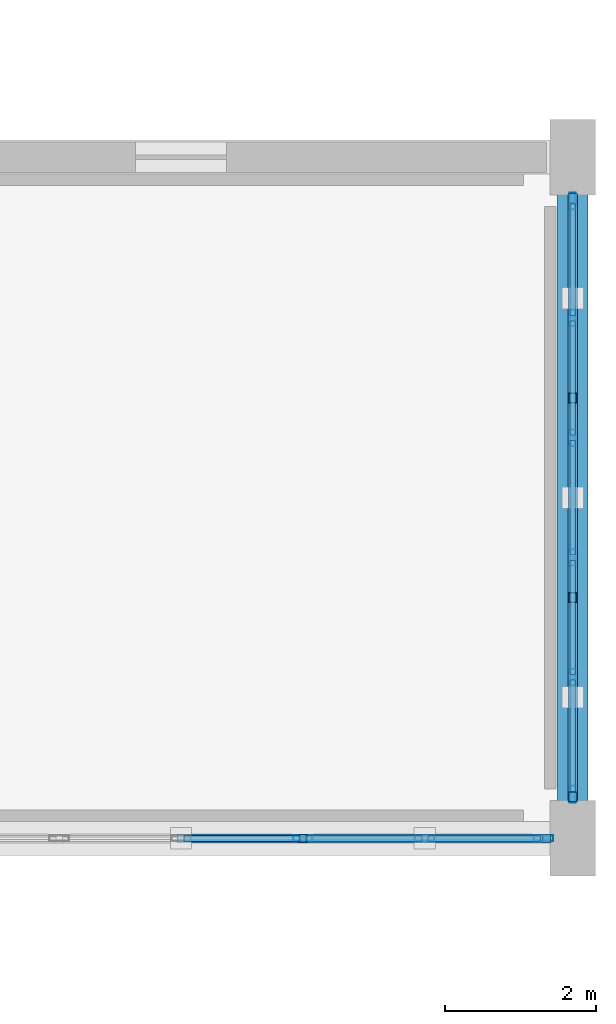
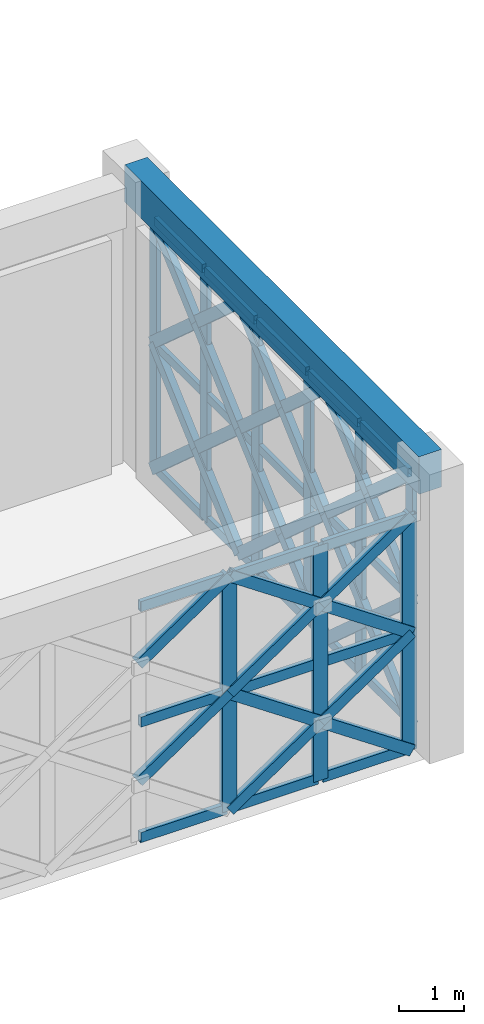
# One storey, part 110 of 166: 59 members, 1 beam, 2 elements without a shape of their own.
"""IFC4 building model written with IfcOpenShell, lengths in metres."""

from ifc_helpers import new_model, si_unit, direction, frame, origin, origin_2d, place, context, subcontext, project, spatial, rectangle, hollow_rectangle, extrude, material, material_profile, profile_set, type_object, element, aggregate, save


model = new_model("IFC4")

# Units and contexts
model_context = context("Model", 3, precision=1e-05, world=origin(), true_north=direction((0.0, 1.0)))
body_context = subcontext(model_context, "Body", "Model", "MODEL_VIEW")
ifc_project = project(units=[si_unit("LENGTHUNIT", "METRE"), si_unit("AREAUNIT", "SQUARE_METRE"), si_unit("VOLUMEUNIT", "CUBIC_METRE"), si_unit("PLANEANGLEUNIT", "RADIAN"), si_unit("MASSUNIT", "GRAM", prefix="KILO")], contexts=[model_context])

# Site, building, storey
site_placement = place(None, origin())
site = spatial("IfcSite", under=ifc_project, at=site_placement, CompositionType="ELEMENT")
building_placement = place(site_placement, origin())
building = spatial("IfcBuilding", under=site, at=building_placement, Name="Haizhuo Lancet Aquarium", CompositionType="ELEMENT")
storey_placement = place(building_placement, frame((0.0, 0.0, 5.39990234375)))
storey = spatial("IfcBuildingStorey", under=building, at=storey_placement, Name="L01", CompositionType="ELEMENT", Elevation=5.39990234375)

# Beam
ifc_material_1 = material(Name="Concrete C40/50", Category="concrete")
ifc_material_profile_1 = material_profile(ifc_material_1, rectangle(XDim=0.39990234375, YDim=0.699951171875, at=origin_2d()), Name="RC-BM 400x700")
ifc_profile_set_1 = profile_set([ifc_material_profile_1], Name="Concrete C40/50")
beam_type = type_object("IfcBeamType", Name="BM-RC-400x700", PredefinedType="BEAM", material=ifc_profile_set_1)
beam_placement = place(storey_placement, frame((82.5, -18.0, 5.050048828125), z_axis=(0.0, 1.0, 0.0), x_axis=(-1.0, 0.0, 0.0)))
element("IfcBeam", 1, at=beam_placement, inside=storey, type_object=beam_type, Name="L01 V3 primary girder BM-L01-V3-031", PredefinedType="BEAM", context=body_context, shape_type="SweptSolid", body=[
    extrude(rectangle(XDim=0.39990234375, YDim=0.699951171875, at=origin_2d()), origin(), (0.0, 0.0, 1.0), 9.0),
])

# Curtain wall, members
ifc_material_2 = material(Name="Aluminium 6063-T6", Category="aluminium")
curtain_wall_type_1 = type_object("IfcCurtainWallType", Name="CWO-7910x4700", PredefinedType="NOTDEFINED", material=ifc_material_2)
curtain_wall_1_placement = place(storey_placement, origin())
curtain_wall_1 = element("IfcCurtainWall", 2, at=curtain_wall_1_placement, inside=storey, type_object=curtain_wall_type_1, Name="L01 curtain wall CW-V3-L01-041", PredefinedType="NOTDEFINED")
ifc_material_profile_2 = material_profile(ifc_material_2, hollow_rectangle(XDim=0.074951171875, YDim=0.219970703125, WallThickness=0.0048828125, at=origin_2d()), Name="ALU-M 75x220x5")
ifc_profile_set_2 = profile_set([ifc_material_profile_2], Name="Aluminium 6063-T6")
member_type_1 = type_object("IfcMemberType", Name="CW-MUL-2", PredefinedType="MULLION", material=ifc_profile_set_2)
member_1_placement = place(storey_placement, frame((82.5, -9.58203125, 0.0), z_axis=(0.0, 0.0, 1.0), x_axis=(1.0, 0.0, 0.0)))
member_1 = element("IfcMember", 3, at=member_1_placement, type_object=member_type_1, Name="CWO-79x47 mullion 1", PredefinedType="MULLION", context=body_context, shape_type="SweptSolid", body=[
    extrude(hollow_rectangle(XDim=0.074951171875, YDim=0.219970703125, WallThickness=0.0048828125, at=origin_2d()), origin(), (0.0, 0.0, 1.0), 4.7001953125),
])
member_2_placement = place(storey_placement, frame((82.5, -11.126953125, 0.0), z_axis=(0.0, 0.0, 1.0), x_axis=(1.0, 0.0, 0.0)))
member_2 = element("IfcMember", 4, at=member_2_placement, type_object=member_type_1, Name="CWO-79x47 mullion 2", PredefinedType="MULLION", context=body_context, shape_type="SweptSolid", body=[
    extrude(hollow_rectangle(XDim=0.074951171875, YDim=0.219970703125, WallThickness=0.0048828125, at=origin_2d()), origin(), (0.0, 0.0, 1.0), 4.7001953125),
])
member_3_placement = place(storey_placement, frame((82.5, -12.708984375, 0.0), z_axis=(0.0, 0.0, 1.0), x_axis=(1.0, 0.0, 0.0)))
member_3 = element("IfcMember", 5, at=member_3_placement, type_object=member_type_1, Name="CWO-79x47 mullion 3", PredefinedType="MULLION", context=body_context, shape_type="SweptSolid", body=[
    extrude(hollow_rectangle(XDim=0.074951171875, YDim=0.219970703125, WallThickness=0.0048828125, at=origin_2d()), origin(), (0.0, 0.0, 1.0), 4.7001953125),
])
member_4_placement = place(storey_placement, frame((82.5, -14.291015625, 0.0), z_axis=(0.0, 0.0, 1.0), x_axis=(1.0, 0.0, 0.0)))
member_4 = element("IfcMember", 6, at=member_4_placement, type_object=member_type_1, Name="CWO-79x47 mullion 4", PredefinedType="MULLION", context=body_context, shape_type="SweptSolid", body=[
    extrude(hollow_rectangle(XDim=0.074951171875, YDim=0.219970703125, WallThickness=0.0048828125, at=origin_2d()), origin(), (0.0, 0.0, 1.0), 4.7001953125),
])
member_5_placement = place(storey_placement, frame((82.5, -15.873046875, 0.0), z_axis=(0.0, 0.0, 1.0), x_axis=(1.0, 0.0, 0.0)))
member_5 = element("IfcMember", 7, at=member_5_placement, type_object=member_type_1, Name="CWO-79x47 mullion 5", PredefinedType="MULLION", context=body_context, shape_type="SweptSolid", body=[
    extrude(hollow_rectangle(XDim=0.074951171875, YDim=0.219970703125, WallThickness=0.0048828125, at=origin_2d()), origin(), (0.0, 0.0, 1.0), 4.7001953125),
])
member_6_placement = place(storey_placement, frame((82.5, -17.4169921875, 0.0), z_axis=(0.0, 0.0, 1.0), x_axis=(1.0, 0.0, 0.0)))
member_6 = element("IfcMember", 8, at=member_6_placement, type_object=member_type_1, Name="CWO-79x47 mullion 6", PredefinedType="MULLION", context=body_context, shape_type="SweptSolid", body=[
    extrude(hollow_rectangle(XDim=0.074951171875, YDim=0.219970703125, WallThickness=0.0048828125, at=origin_2d()), origin(), (0.0, 0.0, 1.0), 4.7001953125),
])

curtain_wall_type_2 = type_object("IfcCurtainWallType", Name="CWO-9660x4390", PredefinedType="NOTDEFINED", material=ifc_material_2)
curtain_wall_2_placement = place(storey_placement, origin())
curtain_wall_2 = element("IfcCurtainWall", 9, at=curtain_wall_2_placement, inside=storey, type_object=curtain_wall_type_2, Name="L01 curtain wall CW-V3-L01-042", PredefinedType="NOTDEFINED")
ifc_material_profile_3 = material_profile(ifc_material_2, hollow_rectangle(XDim=0.080078125, YDim=0.260009765625, WallThickness=0.0048828125, at=origin_2d()), Name="ALU-M 80x260x5")
ifc_profile_set_3 = profile_set([ifc_material_profile_3], Name="Aluminium 6063-T6")
member_type_2 = type_object("IfcMemberType", Name="CW-MUL-3", PredefinedType="MULLION", material=ifc_profile_set_3)
member_7_placement = place(storey_placement, frame((82.114990234375, -18.0, 0.0), z_axis=(0.0, 0.0, 1.0), x_axis=(0.0, -1.0, 0.0)))
member_7 = element("IfcMember", 10, at=member_7_placement, type_object=member_type_2, Name="CWO-96x43 mullion 1", PredefinedType="MULLION", context=body_context, shape_type="SweptSolid", body=[
    extrude(hollow_rectangle(XDim=0.080078125, YDim=0.260009765625, WallThickness=0.0048828125, at=origin_2d()), origin(), (0.0, 0.0, 1.0), 4.39013671875),
])
member_8_placement = place(storey_placement, frame((80.544921875, -18.0, 0.0), z_axis=(0.0, 0.0, 1.0), x_axis=(0.0, -1.0, 0.0)))
member_8 = element("IfcMember", 11, at=member_8_placement, type_object=member_type_2, Name="CWO-96x43 mullion 2", PredefinedType="MULLION", context=body_context, shape_type="SweptSolid", body=[
    extrude(hollow_rectangle(XDim=0.080078125, YDim=0.260009765625, WallThickness=0.0048828125, at=origin_2d()), origin(), (0.0, 0.0, 1.0), 4.39013671875),
])
member_9_placement = place(storey_placement, frame((78.93505859375, -18.0, 0.0), z_axis=(0.0, 0.0, 1.0), x_axis=(0.0, -1.0, 0.0)))
member_9 = element("IfcMember", 12, at=member_9_placement, type_object=member_type_2, Name="CWO-96x43 mullion 3", PredefinedType="MULLION", context=body_context, shape_type="SweptSolid", body=[
    extrude(hollow_rectangle(XDim=0.080078125, YDim=0.260009765625, WallThickness=0.0048828125, at=origin_2d()), origin(), (0.0, 0.0, 1.0), 4.39013671875),
])

# Member
ifc_material_profile_4 = material_profile(ifc_material_2, hollow_rectangle(XDim=0.074951171875, YDim=0.159912109375, WallThickness=0.00390625, at=origin_2d()), Name="ALU-T 75x160x4")
ifc_profile_set_4 = profile_set([ifc_material_profile_4], Name="Aluminium 6063-T6")
member_type_3 = type_object("IfcMemberType", Name="CW-TRN-2", PredefinedType="NOTDEFINED", material=ifc_profile_set_4)
member_10_placement = place(storey_placement, frame((82.5, -9.6201171875, 0.0380859375), z_axis=(0.0, -1.0, 0.0), x_axis=(1.0, 0.0, 0.0)))
member_10 = element("IfcMember", 13, at=member_10_placement, type_object=member_type_3, Name="CWO-79x47 transom 1.1", ObjectType="TRANSOM", PredefinedType="USERDEFINED", context=body_context, shape_type="SweptSolid", body=[
    extrude(hollow_rectangle(XDim=0.074951171875, YDim=0.159912109375, WallThickness=0.00390625, at=origin_2d()), origin(), (0.0, 0.0, 1.0), 1.468994140625),
])

member_11_placement = place(storey_placement, frame((82.5, -9.6201171875, 2.35009765625), z_axis=(0.0, -1.0, 0.0), x_axis=(1.0, 0.0, 0.0)))
member_11 = element("IfcMember", 14, at=member_11_placement, type_object=member_type_3, Name="CWO-79x47 transom 1.2", ObjectType="TRANSOM", PredefinedType="USERDEFINED", context=body_context, shape_type="SweptSolid", body=[
    extrude(hollow_rectangle(XDim=0.074951171875, YDim=0.159912109375, WallThickness=0.00390625, at=origin_2d()), origin(), (0.0, 0.0, 1.0), 1.468994140625),
])

member_12_placement = place(storey_placement, frame((82.5, -9.6201171875, 4.662109375), z_axis=(0.0, -1.0, 0.0), x_axis=(1.0, 0.0, 0.0)))
member_12 = element("IfcMember", 15, at=member_12_placement, type_object=member_type_3, Name="CWO-79x47 transom 1.3", ObjectType="TRANSOM", PredefinedType="USERDEFINED", context=body_context, shape_type="SweptSolid", body=[
    extrude(hollow_rectangle(XDim=0.074951171875, YDim=0.159912109375, WallThickness=0.00390625, at=origin_2d()), origin(), (0.0, 0.0, 1.0), 1.468994140625),
])

member_13_placement = place(storey_placement, frame((82.5, -11.1650390625, 0.0380859375), z_axis=(0.0, -1.0, 0.0), x_axis=(1.0, 0.0, 0.0)))
member_13 = element("IfcMember", 16, at=member_13_placement, type_object=member_type_3, Name="CWO-79x47 transom 2.1", ObjectType="TRANSOM", PredefinedType="USERDEFINED", context=body_context, shape_type="SweptSolid", body=[
    extrude(hollow_rectangle(XDim=0.074951171875, YDim=0.159912109375, WallThickness=0.00390625, at=origin_2d()), origin(), (0.0, 0.0, 1.0), 1.505859375),
])

member_14_placement = place(storey_placement, frame((82.5, -11.1650390625, 2.35009765625), z_axis=(0.0, -1.0, 0.0), x_axis=(1.0, 0.0, 0.0)))
member_14 = element("IfcMember", 17, at=member_14_placement, type_object=member_type_3, Name="CWO-79x47 transom 2.2", ObjectType="TRANSOM", PredefinedType="USERDEFINED", context=body_context, shape_type="SweptSolid", body=[
    extrude(hollow_rectangle(XDim=0.074951171875, YDim=0.159912109375, WallThickness=0.00390625, at=origin_2d()), origin(), (0.0, 0.0, 1.0), 1.505859375),
])

member_15_placement = place(storey_placement, frame((82.5, -11.1650390625, 4.662109375), z_axis=(0.0, -1.0, 0.0), x_axis=(1.0, 0.0, 0.0)))
member_15 = element("IfcMember", 18, at=member_15_placement, type_object=member_type_3, Name="CWO-79x47 transom 2.3", ObjectType="TRANSOM", PredefinedType="USERDEFINED", context=body_context, shape_type="SweptSolid", body=[
    extrude(hollow_rectangle(XDim=0.074951171875, YDim=0.159912109375, WallThickness=0.00390625, at=origin_2d()), origin(), (0.0, 0.0, 1.0), 1.505859375),
])

member_16_placement = place(storey_placement, frame((82.5, -12.74609375, 0.0380859375), z_axis=(0.0, -1.0, 0.0), x_axis=(1.0, 0.0, 0.0)))
member_16 = element("IfcMember", 19, at=member_16_placement, type_object=member_type_3, Name="CWO-79x47 transom 3.1", ObjectType="TRANSOM", PredefinedType="USERDEFINED", context=body_context, shape_type="SweptSolid", body=[
    extrude(hollow_rectangle(XDim=0.074951171875, YDim=0.159912109375, WallThickness=0.00390625, at=origin_2d()), origin(), (0.0, 0.0, 1.0), 1.5068359375),
])

member_17_placement = place(storey_placement, frame((82.5, -12.74609375, 2.35009765625), z_axis=(0.0, -1.0, 0.0), x_axis=(1.0, 0.0, 0.0)))
member_17 = element("IfcMember", 20, at=member_17_placement, type_object=member_type_3, Name="CWO-79x47 transom 3.2", ObjectType="TRANSOM", PredefinedType="USERDEFINED", context=body_context, shape_type="SweptSolid", body=[
    extrude(hollow_rectangle(XDim=0.074951171875, YDim=0.159912109375, WallThickness=0.00390625, at=origin_2d()), origin(), (0.0, 0.0, 1.0), 1.5068359375),
])

member_18_placement = place(storey_placement, frame((82.5, -12.74609375, 4.662109375), z_axis=(0.0, -1.0, 0.0), x_axis=(1.0, 0.0, 0.0)))
member_18 = element("IfcMember", 21, at=member_18_placement, type_object=member_type_3, Name="CWO-79x47 transom 3.3", ObjectType="TRANSOM", PredefinedType="USERDEFINED", context=body_context, shape_type="SweptSolid", body=[
    extrude(hollow_rectangle(XDim=0.074951171875, YDim=0.159912109375, WallThickness=0.00390625, at=origin_2d()), origin(), (0.0, 0.0, 1.0), 1.5068359375),
])

member_19_placement = place(storey_placement, frame((82.5, -14.327880859375, 0.0380859375), z_axis=(0.0, -1.0, 0.0), x_axis=(1.0, 0.0, 0.0)))
member_19 = element("IfcMember", 22, at=member_19_placement, type_object=member_type_3, Name="CWO-79x47 transom 4.1", ObjectType="TRANSOM", PredefinedType="USERDEFINED", context=body_context, shape_type="SweptSolid", body=[
    extrude(hollow_rectangle(XDim=0.074951171875, YDim=0.159912109375, WallThickness=0.00390625, at=origin_2d()), origin(), (0.0, 0.0, 1.0), 1.507080078125),
])

member_20_placement = place(storey_placement, frame((82.5, -14.327880859375, 2.35009765625), z_axis=(0.0, -1.0, 0.0), x_axis=(1.0, 0.0, 0.0)))
member_20 = element("IfcMember", 23, at=member_20_placement, type_object=member_type_3, Name="CWO-79x47 transom 4.2", ObjectType="TRANSOM", PredefinedType="USERDEFINED", context=body_context, shape_type="SweptSolid", body=[
    extrude(hollow_rectangle(XDim=0.074951171875, YDim=0.159912109375, WallThickness=0.00390625, at=origin_2d()), origin(), (0.0, 0.0, 1.0), 1.507080078125),
])

member_21_placement = place(storey_placement, frame((82.5, -14.327880859375, 4.662109375), z_axis=(0.0, -1.0, 0.0), x_axis=(1.0, 0.0, 0.0)))
member_21 = element("IfcMember", 24, at=member_21_placement, type_object=member_type_3, Name="CWO-79x47 transom 4.3", ObjectType="TRANSOM", PredefinedType="USERDEFINED", context=body_context, shape_type="SweptSolid", body=[
    extrude(hollow_rectangle(XDim=0.074951171875, YDim=0.159912109375, WallThickness=0.00390625, at=origin_2d()), origin(), (0.0, 0.0, 1.0), 1.507080078125),
])

member_22_placement = place(storey_placement, frame((82.5, -15.909912109375, 0.0380859375), z_axis=(0.0, -1.0, 0.0), x_axis=(1.0, 0.0, 0.0)))
member_22 = element("IfcMember", 25, at=member_22_placement, type_object=member_type_3, Name="CWO-79x47 transom 5.1", ObjectType="TRANSOM", PredefinedType="USERDEFINED", context=body_context, shape_type="SweptSolid", body=[
    extrude(hollow_rectangle(XDim=0.074951171875, YDim=0.159912109375, WallThickness=0.00390625, at=origin_2d()), origin(), (0.0, 0.0, 1.0), 1.469970703125),
])

member_23_placement = place(storey_placement, frame((82.5, -15.909912109375, 2.35009765625), z_axis=(0.0, -1.0, 0.0), x_axis=(1.0, 0.0, 0.0)))
member_23 = element("IfcMember", 26, at=member_23_placement, type_object=member_type_3, Name="CWO-79x47 transom 5.2", ObjectType="TRANSOM", PredefinedType="USERDEFINED", context=body_context, shape_type="SweptSolid", body=[
    extrude(hollow_rectangle(XDim=0.074951171875, YDim=0.159912109375, WallThickness=0.00390625, at=origin_2d()), origin(), (0.0, 0.0, 1.0), 1.469970703125),
])

member_24_placement = place(storey_placement, frame((82.5, -15.909912109375, 4.662109375), z_axis=(0.0, -1.0, 0.0), x_axis=(1.0, 0.0, 0.0)))
member_24 = element("IfcMember", 27, at=member_24_placement, type_object=member_type_3, Name="CWO-79x47 transom 5.3", ObjectType="TRANSOM", PredefinedType="USERDEFINED", context=body_context, shape_type="SweptSolid", body=[
    extrude(hollow_rectangle(XDim=0.074951171875, YDim=0.159912109375, WallThickness=0.00390625, at=origin_2d()), origin(), (0.0, 0.0, 1.0), 1.469970703125),
])

aggregate(curtain_wall_1, [member_1, member_2, member_3, member_4, member_5, member_6, member_10, member_11, member_12, member_13, member_14, member_15, member_16, member_17, member_18, member_19, member_20, member_21, member_22, member_23, member_24])

ifc_material_profile_5 = material_profile(ifc_material_2, hollow_rectangle(XDim=0.080078125, YDim=0.18994140625, WallThickness=0.0048828125, at=origin_2d()), Name="ALU-T 80x190x5")
ifc_profile_set_5 = profile_set([ifc_material_profile_5], Name="Aluminium 6063-T6")
member_type_4 = type_object("IfcMemberType", Name="CW-TRN-3", PredefinedType="NOTDEFINED", material=ifc_profile_set_5)
member_25_placement = place(storey_placement, frame((82.074951171875, -18.0, 0.0400390625), z_axis=(-1.0, 0.0, 0.0), x_axis=(0.0, -1.0, 0.0)))
member_25 = element("IfcMember", 28, at=member_25_placement, type_object=member_type_4, Name="CWO-96x43 transom 1.1", ObjectType="TRANSOM", PredefinedType="USERDEFINED", context=body_context, shape_type="SweptSolid", body=[
    extrude(hollow_rectangle(XDim=0.080078125, YDim=0.18994140625, WallThickness=0.0048828125, at=origin_2d()), origin(), (0.0, 0.0, 1.0), 1.489990234375),
])

member_26_placement = place(storey_placement, frame((82.074951171875, -18.0, 2.195068359375), z_axis=(-1.0, 0.0, 0.0), x_axis=(0.0, -1.0, 0.0)))
member_26 = element("IfcMember", 29, at=member_26_placement, type_object=member_type_4, Name="CWO-96x43 transom 1.2", ObjectType="TRANSOM", PredefinedType="USERDEFINED", context=body_context, shape_type="SweptSolid", body=[
    extrude(hollow_rectangle(XDim=0.080078125, YDim=0.18994140625, WallThickness=0.0048828125, at=origin_2d()), origin(), (0.0, 0.0, 1.0), 1.489990234375),
])

member_27_placement = place(storey_placement, frame((82.074951171875, -18.0, 4.35009765625), z_axis=(-1.0, 0.0, 0.0), x_axis=(0.0, -1.0, 0.0)))
member_27 = element("IfcMember", 30, at=member_27_placement, type_object=member_type_4, Name="CWO-96x43 transom 1.3", ObjectType="TRANSOM", PredefinedType="USERDEFINED", context=body_context, shape_type="SweptSolid", body=[
    extrude(hollow_rectangle(XDim=0.080078125, YDim=0.18994140625, WallThickness=0.0048828125, at=origin_2d()), origin(), (0.0, 0.0, 1.0), 1.489990234375),
])

member_28_placement = place(storey_placement, frame((80.5048828125, -18.0, 0.0400390625), z_axis=(-1.0, 0.0, 0.0), x_axis=(0.0, -1.0, 0.0)))
member_28 = element("IfcMember", 31, at=member_28_placement, type_object=member_type_4, Name="CWO-96x43 transom 2.1", ObjectType="TRANSOM", PredefinedType="USERDEFINED", context=body_context, shape_type="SweptSolid", body=[
    extrude(hollow_rectangle(XDim=0.080078125, YDim=0.18994140625, WallThickness=0.0048828125, at=origin_2d()), origin(), (0.0, 0.0, 1.0), 1.52978515625),
])

member_29_placement = place(storey_placement, frame((80.5048828125, -18.0, 2.195068359375), z_axis=(-1.0, 0.0, 0.0), x_axis=(0.0, -1.0, 0.0)))
member_29 = element("IfcMember", 32, at=member_29_placement, type_object=member_type_4, Name="CWO-96x43 transom 2.2", ObjectType="TRANSOM", PredefinedType="USERDEFINED", context=body_context, shape_type="SweptSolid", body=[
    extrude(hollow_rectangle(XDim=0.080078125, YDim=0.18994140625, WallThickness=0.0048828125, at=origin_2d()), origin(), (0.0, 0.0, 1.0), 1.52978515625),
])

member_30_placement = place(storey_placement, frame((80.5048828125, -18.0, 4.35009765625), z_axis=(-1.0, 0.0, 0.0), x_axis=(0.0, -1.0, 0.0)))
member_30 = element("IfcMember", 33, at=member_30_placement, type_object=member_type_4, Name="CWO-96x43 transom 2.3", ObjectType="TRANSOM", PredefinedType="USERDEFINED", context=body_context, shape_type="SweptSolid", body=[
    extrude(hollow_rectangle(XDim=0.080078125, YDim=0.18994140625, WallThickness=0.0048828125, at=origin_2d()), origin(), (0.0, 0.0, 1.0), 1.52978515625),
])

member_31_placement = place(storey_placement, frame((78.89501953125, -18.0, 0.0400390625), z_axis=(-1.0, 0.0, 0.0), x_axis=(0.0, -1.0, 0.0)))
member_31 = element("IfcMember", 34, at=member_31_placement, type_object=member_type_4, Name="CWO-96x43 transom 3.1", ObjectType="TRANSOM", PredefinedType="USERDEFINED", context=body_context, shape_type="SweptSolid", body=[
    extrude(hollow_rectangle(XDim=0.080078125, YDim=0.18994140625, WallThickness=0.0048828125, at=origin_2d()), origin(), (0.0, 0.0, 1.0), 1.530029296875),
])

member_32_placement = place(storey_placement, frame((78.89501953125, -18.0, 2.195068359375), z_axis=(-1.0, 0.0, 0.0), x_axis=(0.0, -1.0, 0.0)))
member_32 = element("IfcMember", 35, at=member_32_placement, type_object=member_type_4, Name="CWO-96x43 transom 3.2", ObjectType="TRANSOM", PredefinedType="USERDEFINED", context=body_context, shape_type="SweptSolid", body=[
    extrude(hollow_rectangle(XDim=0.080078125, YDim=0.18994140625, WallThickness=0.0048828125, at=origin_2d()), origin(), (0.0, 0.0, 1.0), 1.530029296875),
])

member_33_placement = place(storey_placement, frame((78.89501953125, -18.0, 4.35009765625), z_axis=(-1.0, 0.0, 0.0), x_axis=(0.0, -1.0, 0.0)))
member_33 = element("IfcMember", 36, at=member_33_placement, type_object=member_type_4, Name="CWO-96x43 transom 3.3", ObjectType="TRANSOM", PredefinedType="USERDEFINED", context=body_context, shape_type="SweptSolid", body=[
    extrude(hollow_rectangle(XDim=0.080078125, YDim=0.18994140625, WallThickness=0.0048828125, at=origin_2d()), origin(), (0.0, 0.0, 1.0), 1.530029296875),
])

aggregate(curtain_wall_2, [member_7, member_8, member_9, member_25, member_26, member_27, member_28, member_29, member_30, member_31, member_32, member_33])

# Members
ifc_material_3 = material(Name="Steel S355", Category="steel")
ifc_material_profile_6 = material_profile(ifc_material_3, hollow_rectangle(XDim=0.1201171875, YDim=0.199951171875, WallThickness=0.008056640625, at=origin_2d()), Name="RHS 120x200x8")
ifc_profile_set_6 = profile_set([ifc_material_profile_6], Name="Steel S355")
member_type_5 = type_object("IfcMemberType", Name="MEM-LB-RHS120x200", PredefinedType="BRACE", material=ifc_profile_set_6)
member_34_placement = place(storey_placement, frame((82.5, -9.544921875, 0.0), z_axis=(0.0, -0.746546855997, 0.665332842869), x_axis=(1.0, 0.0, 0.0)))
element("IfcMember", 37, at=member_34_placement, inside=storey, type_object=member_type_5, Name="Gothic lancet continuous diagonal brace CW-V3-L01-041 1A", PredefinedType="BRACE", context=body_context, shape_type="SweptSolid", body=[
    extrude(hollow_rectangle(XDim=0.1201171875, YDim=0.199951171875, WallThickness=0.008056640625, at=origin_2d()), origin(), (0.0, 0.0, 1.0), 3.5322265625),
])
member_35_placement = place(storey_placement, frame((82.5, -12.181884765625, 0.0), z_axis=(0.0, 0.746393814531, 0.665504525627), x_axis=(-1.0, 0.0, 0.0)))
element("IfcMember", 38, at=member_35_placement, inside=storey, type_object=member_type_5, Name="Gothic lancet split diagonal brace CW-V3-L01-041 1B1", PredefinedType="BRACE", context=body_context, shape_type="SweptSolid", body=[
    extrude(hollow_rectangle(XDim=0.1201171875, YDim=0.199951171875, WallThickness=0.008056640625, at=origin_2d()), origin(), (0.0, 0.0, 1.0), 1.765625),
])
member_36_placement = place(storey_placement, frame((82.5, -10.864013671875, 1.175048828125), z_axis=(0.0, 0.746699779056, 0.66516121351), x_axis=(-1.0, 0.0, 0.0)))
element("IfcMember", 39, at=member_36_placement, inside=storey, type_object=member_type_5, Name="Gothic lancet split diagonal brace CW-V3-L01-041 1B2", PredefinedType="BRACE", context=body_context, shape_type="SweptSolid", body=[
    extrude(hollow_rectangle(XDim=0.1201171875, YDim=0.199951171875, WallThickness=0.008056640625, at=origin_2d()), origin(), (0.0, 0.0, 1.0), 1.7666015625),
])
member_37_placement = place(storey_placement, frame((82.5, -9.544921875, 2.35009765625), z_axis=(0.0, -0.746546855997, 0.665332842869), x_axis=(1.0, 0.0, 0.0)))
element("IfcMember", 40, at=member_37_placement, inside=storey, type_object=member_type_5, Name="Gothic lancet continuous diagonal brace CW-V3-L01-041 2A", PredefinedType="BRACE", context=body_context, shape_type="SweptSolid", body=[
    extrude(hollow_rectangle(XDim=0.1201171875, YDim=0.199951171875, WallThickness=0.008056640625, at=origin_2d()), origin(), (0.0, 0.0, 1.0), 3.5322265625),
])
member_38_placement = place(storey_placement, frame((82.5, -12.181884765625, 2.35009765625), z_axis=(0.0, 0.746393814531, 0.665504525627), x_axis=(-1.0, 0.0, 0.0)))
element("IfcMember", 41, at=member_38_placement, inside=storey, type_object=member_type_5, Name="Gothic lancet split diagonal brace CW-V3-L01-041 2B1", PredefinedType="BRACE", context=body_context, shape_type="SweptSolid", body=[
    extrude(hollow_rectangle(XDim=0.1201171875, YDim=0.199951171875, WallThickness=0.008056640625, at=origin_2d()), origin(), (0.0, 0.0, 1.0), 1.765625),
])
member_39_placement = place(storey_placement, frame((82.5, -10.864013671875, 3.525146484375), z_axis=(0.0, 0.746699779056, 0.66516121351), x_axis=(-1.0, 0.0, 0.0)))
element("IfcMember", 42, at=member_39_placement, inside=storey, type_object=member_type_5, Name="Gothic lancet split diagonal brace CW-V3-L01-041 2B2", PredefinedType="BRACE", context=body_context, shape_type="SweptSolid", body=[
    extrude(hollow_rectangle(XDim=0.1201171875, YDim=0.199951171875, WallThickness=0.008056640625, at=origin_2d()), origin(), (0.0, 0.0, 1.0), 1.7666015625),
])
member_40_placement = place(storey_placement, frame((82.5, -12.181884765625, 0.0), z_axis=(0.0, -0.746455045333, 0.665435846117), x_axis=(1.0, 0.0, 0.0)))
element("IfcMember", 43, at=member_40_placement, inside=storey, type_object=member_type_5, Name="Gothic lancet continuous diagonal brace CW-V3-L01-041 3A", PredefinedType="BRACE", context=body_context, shape_type="SweptSolid", body=[
    extrude(hollow_rectangle(XDim=0.1201171875, YDim=0.199951171875, WallThickness=0.008056640625, at=origin_2d()), origin(), (0.0, 0.0, 1.0), 3.53173828125),
])
for number, where, z_axis, x_axis, name in (
    (44, (82.5, -14.818115234375, 0.0), (0.0, 0.746455045333, 0.665435846117), (-1.0, 0.0, 0.0), "Gothic lancet split diagonal brace CW-V3-L01-041 3B1"),
    (45, (82.5, -13.5, 1.175048828125), (0.0, 0.746455045333, 0.665435846117), (-1.0, 0.0, 0.0), "Gothic lancet split diagonal brace CW-V3-L01-041 3B2"),
):
    element("IfcMember", number, at=place(storey_placement, frame(where, z_axis=z_axis, x_axis=x_axis)), inside=storey, type_object=member_type_5, Name=name, PredefinedType="BRACE", context=body_context, shape_type="SweptSolid", body=[
        extrude(hollow_rectangle(XDim=0.1201171875, YDim=0.199951171875, WallThickness=0.008056640625, at=origin_2d()), origin(), (0.0, 0.0, 1.0), 1.765869140625),
    ])
member_41_placement = place(storey_placement, frame((82.5, -12.181884765625, 2.35009765625), z_axis=(0.0, -0.746455045333, 0.665435846117), x_axis=(1.0, 0.0, 0.0)))
element("IfcMember", 46, at=member_41_placement, inside=storey, type_object=member_type_5, Name="Gothic lancet continuous diagonal brace CW-V3-L01-041 4A", PredefinedType="BRACE", context=body_context, shape_type="SweptSolid", body=[
    extrude(hollow_rectangle(XDim=0.1201171875, YDim=0.199951171875, WallThickness=0.008056640625, at=origin_2d()), origin(), (0.0, 0.0, 1.0), 3.53173828125),
])
for number, where, z_axis, x_axis, name in (
    (47, (82.5, -14.818115234375, 2.35009765625), (0.0, 0.746455045333, 0.665435846117), (-1.0, 0.0, 0.0), "Gothic lancet split diagonal brace CW-V3-L01-041 4B1"),
    (48, (82.5, -13.5, 3.525146484375), (0.0, 0.746455045333, 0.665435846117), (-1.0, 0.0, 0.0), "Gothic lancet split diagonal brace CW-V3-L01-041 4B2"),
):
    element("IfcMember", number, at=place(storey_placement, frame(where, z_axis=z_axis, x_axis=x_axis)), inside=storey, type_object=member_type_5, Name=name, PredefinedType="BRACE", context=body_context, shape_type="SweptSolid", body=[
        extrude(hollow_rectangle(XDim=0.1201171875, YDim=0.199951171875, WallThickness=0.008056640625, at=origin_2d()), origin(), (0.0, 0.0, 1.0), 1.765869140625),
    ])
member_42_placement = place(storey_placement, frame((82.5, -14.818115234375, 0.0), z_axis=(0.0, -0.746546855997, 0.665332842869), x_axis=(1.0, 0.0, 0.0)))
element("IfcMember", 49, at=member_42_placement, inside=storey, type_object=member_type_5, Name="Gothic lancet continuous diagonal brace CW-V3-L01-041 5A", PredefinedType="BRACE", context=body_context, shape_type="SweptSolid", body=[
    extrude(hollow_rectangle(XDim=0.1201171875, YDim=0.199951171875, WallThickness=0.008056640625, at=origin_2d()), origin(), (0.0, 0.0, 1.0), 3.5322265625),
])
member_43_placement = place(storey_placement, frame((82.5, -17.455078125, 0.0), z_axis=(0.0, 0.746699779056, 0.66516121351), x_axis=(-1.0, 0.0, 0.0)))
element("IfcMember", 50, at=member_43_placement, inside=storey, type_object=member_type_5, Name="Gothic lancet split diagonal brace CW-V3-L01-041 5B1", PredefinedType="BRACE", context=body_context, shape_type="SweptSolid", body=[
    extrude(hollow_rectangle(XDim=0.1201171875, YDim=0.199951171875, WallThickness=0.008056640625, at=origin_2d()), origin(), (0.0, 0.0, 1.0), 1.7666015625),
])
member_44_placement = place(storey_placement, frame((82.5, -16.135986328125, 1.175048828125), z_axis=(0.0, 0.746393814531, 0.665504525627), x_axis=(-1.0, 0.0, 0.0)))
element("IfcMember", 51, at=member_44_placement, inside=storey, type_object=member_type_5, Name="Gothic lancet split diagonal brace CW-V3-L01-041 5B2", PredefinedType="BRACE", context=body_context, shape_type="SweptSolid", body=[
    extrude(hollow_rectangle(XDim=0.1201171875, YDim=0.199951171875, WallThickness=0.008056640625, at=origin_2d()), origin(), (0.0, 0.0, 1.0), 1.765625),
])
member_45_placement = place(storey_placement, frame((82.5, -14.818115234375, 2.35009765625), z_axis=(0.0, -0.746546855997, 0.665332842869), x_axis=(1.0, 0.0, 0.0)))
element("IfcMember", 52, at=member_45_placement, inside=storey, type_object=member_type_5, Name="Gothic lancet continuous diagonal brace CW-V3-L01-041 6A", PredefinedType="BRACE", context=body_context, shape_type="SweptSolid", body=[
    extrude(hollow_rectangle(XDim=0.1201171875, YDim=0.199951171875, WallThickness=0.008056640625, at=origin_2d()), origin(), (0.0, 0.0, 1.0), 3.5322265625),
])
member_46_placement = place(storey_placement, frame((82.5, -17.455078125, 2.35009765625), z_axis=(0.0, 0.746699779056, 0.66516121351), x_axis=(-1.0, 0.0, 0.0)))
element("IfcMember", 53, at=member_46_placement, inside=storey, type_object=member_type_5, Name="Gothic lancet split diagonal brace CW-V3-L01-041 6B1", PredefinedType="BRACE", context=body_context, shape_type="SweptSolid", body=[
    extrude(hollow_rectangle(XDim=0.1201171875, YDim=0.199951171875, WallThickness=0.008056640625, at=origin_2d()), origin(), (0.0, 0.0, 1.0), 1.7666015625),
])
member_47_placement = place(storey_placement, frame((82.5, -16.135986328125, 3.525146484375), z_axis=(0.0, 0.746393814531, 0.665504525627), x_axis=(-1.0, 0.0, 0.0)))
element("IfcMember", 54, at=member_47_placement, inside=storey, type_object=member_type_5, Name="Gothic lancet split diagonal brace CW-V3-L01-041 6B2", PredefinedType="BRACE", context=body_context, shape_type="SweptSolid", body=[
    extrude(hollow_rectangle(XDim=0.1201171875, YDim=0.199951171875, WallThickness=0.008056640625, at=origin_2d()), origin(), (0.0, 0.0, 1.0), 1.765625),
])
member_48_placement = place(storey_placement, frame((82.155029296875, -18.0, 0.0), z_axis=(-0.826271079398, 0.0, 0.563272672292), x_axis=(0.0, -1.0, 0.0)))
element("IfcMember", 55, at=member_48_placement, inside=storey, type_object=member_type_5, Name="Gothic lancet continuous diagonal brace CW-V3-L01-042 1A", PredefinedType="BRACE", context=body_context, shape_type="SweptSolid", body=[
    extrude(hollow_rectangle(XDim=0.1201171875, YDim=0.199951171875, WallThickness=0.008056640625, at=origin_2d()), origin(), (0.0, 0.0, 1.0), 3.89697265625),
])
member_49_placement = place(storey_placement, frame((78.93505859375, -18.0, 0.0), z_axis=(0.826105399408, 0.0, 0.563515633385), x_axis=(0.0, 1.0, 0.0)))
element("IfcMember", 56, at=member_49_placement, inside=storey, type_object=member_type_5, Name="Gothic lancet split diagonal brace CW-V3-L01-042 1B1", PredefinedType="BRACE", context=body_context, shape_type="SweptSolid", body=[
    extrude(hollow_rectangle(XDim=0.1201171875, YDim=0.199951171875, WallThickness=0.008056640625, at=origin_2d()), origin(), (0.0, 0.0, 1.0), 1.94873046875),
])
member_50_placement = place(storey_placement, frame((80.544921875, -18.0, 1.09814453125), z_axis=(0.826436729222, 0.0, 0.563029601879), x_axis=(0.0, 1.0, 0.0)))
element("IfcMember", 57, at=member_50_placement, inside=storey, type_object=member_type_5, Name="Gothic lancet split diagonal brace CW-V3-L01-042 1B2", PredefinedType="BRACE", context=body_context, shape_type="SweptSolid", body=[
    extrude(hollow_rectangle(XDim=0.1201171875, YDim=0.199951171875, WallThickness=0.008056640625, at=origin_2d()), origin(), (0.0, 0.0, 1.0), 1.9482421875),
])
member_51_placement = place(storey_placement, frame((82.155029296875, -18.0, 2.195068359375), z_axis=(-0.826271079398, 0.0, 0.563272672292), x_axis=(0.0, -1.0, 0.0)))
element("IfcMember", 58, at=member_51_placement, inside=storey, type_object=member_type_5, Name="Gothic lancet continuous diagonal brace CW-V3-L01-042 2A", PredefinedType="BRACE", context=body_context, shape_type="SweptSolid", body=[
    extrude(hollow_rectangle(XDim=0.1201171875, YDim=0.199951171875, WallThickness=0.008056640625, at=origin_2d()), origin(), (0.0, 0.0, 1.0), 3.89697265625),
])
member_52_placement = place(storey_placement, frame((78.93505859375, -18.0, 2.195068359375), z_axis=(0.826396998658, 0.0, 0.563087915525), x_axis=(0.0, 1.0, 0.0)))
element("IfcMember", 59, at=member_52_placement, inside=storey, type_object=member_type_5, Name="Gothic lancet split diagonal brace CW-V3-L01-042 2B1", PredefinedType="BRACE", context=body_context, shape_type="SweptSolid", body=[
    extrude(hollow_rectangle(XDim=0.1201171875, YDim=0.199951171875, WallThickness=0.008056640625, at=origin_2d()), origin(), (0.0, 0.0, 1.0), 1.947998046875),
])
member_53_placement = place(storey_placement, frame((80.544921875, -18.0, 3.2919921875), z_axis=(0.826145176318, 0.0, 0.563457316615), x_axis=(0.0, 1.0, 0.0)))
element("IfcMember", 60, at=member_53_placement, inside=storey, type_object=member_type_5, Name="Gothic lancet split diagonal brace CW-V3-L01-042 2B2", PredefinedType="BRACE", context=body_context, shape_type="SweptSolid", body=[
    extrude(hollow_rectangle(XDim=0.1201171875, YDim=0.199951171875, WallThickness=0.008056640625, at=origin_2d()), origin(), (0.0, 0.0, 1.0), 1.948974609375),
])
member_54_placement = place(storey_placement, frame((77.324951171875, -18.0, 1.09814453125), z_axis=(0.826436729222, 0.0, 0.563029601879), x_axis=(0.0, 1.0, 0.0)))
element("IfcMember", 61, at=member_54_placement, inside=storey, type_object=member_type_5, Name="Gothic lancet split diagonal brace CW-V3-L01-042 3B2", PredefinedType="BRACE", context=body_context, shape_type="SweptSolid", body=[
    extrude(hollow_rectangle(XDim=0.1201171875, YDim=0.199951171875, WallThickness=0.008056640625, at=origin_2d()), origin(), (0.0, 0.0, 1.0), 1.9482421875),
])
member_55_placement = place(storey_placement, frame((77.324951171875, -18.0, 3.2919921875), z_axis=(0.826145176318, 0.0, 0.563457316615), x_axis=(0.0, 1.0, 0.0)))
element("IfcMember", 62, at=member_55_placement, inside=storey, type_object=member_type_5, Name="Gothic lancet split diagonal brace CW-V3-L01-042 4B2", PredefinedType="BRACE", context=body_context, shape_type="SweptSolid", body=[
    extrude(hollow_rectangle(XDim=0.1201171875, YDim=0.199951171875, WallThickness=0.008056640625, at=origin_2d()), origin(), (0.0, 0.0, 1.0), 1.948974609375),
])

save(model, "model.ifc")
